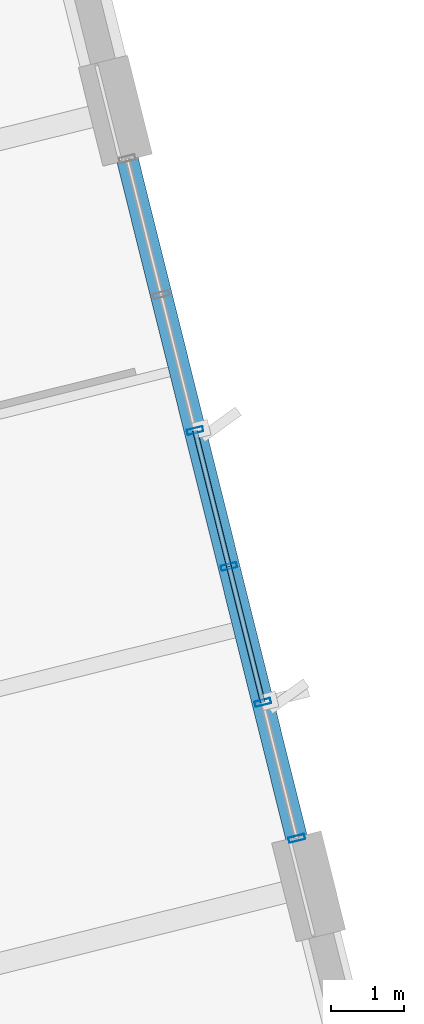
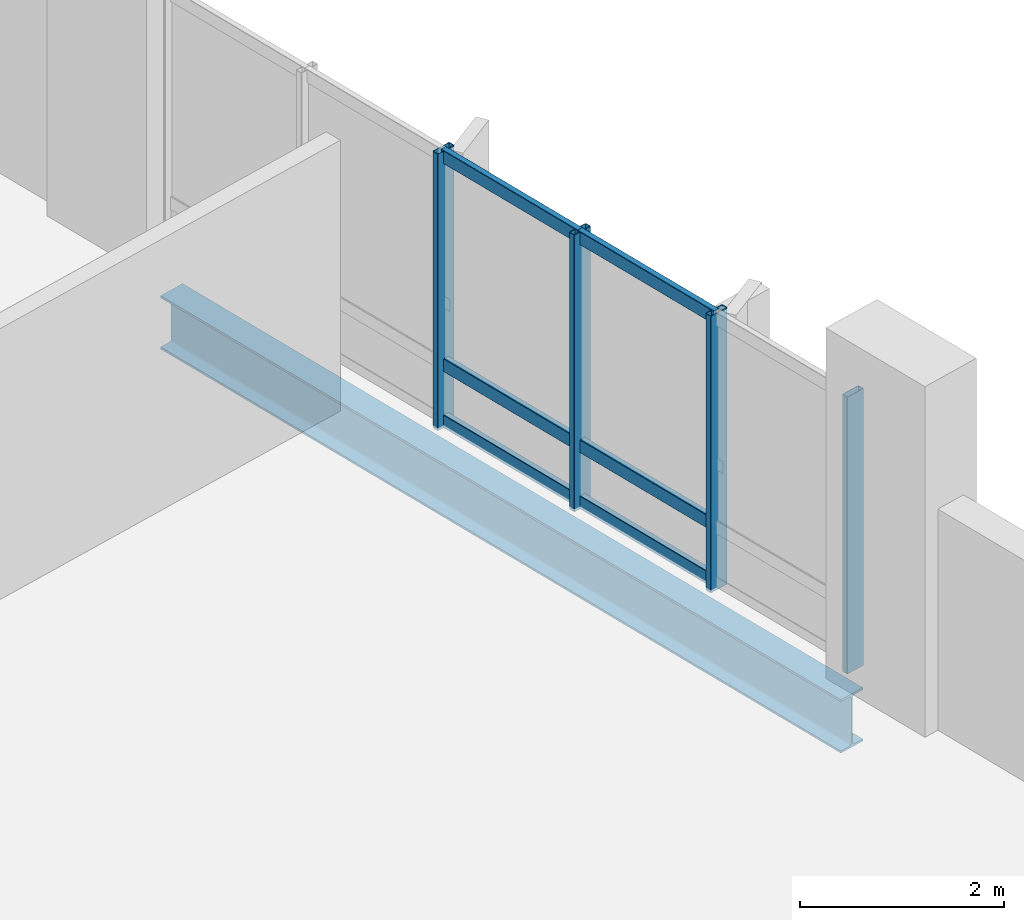
# One storey, part 40 of 75: 10 members, 1 beam, 1 element without a shape of its own.
"""IFC4 building model written with IfcOpenShell, lengths in metres."""

from ifc_helpers import new_model, si_unit, direction, frame, origin, origin_2d, place, context, subcontext, project, spatial, hollow_rectangle, i_section, extrude, material, layer, layer_set, material_profile, profile_set, type_object, element, aggregate, save


model = new_model("IFC4")

# Units and contexts
model_context = context("Model", 3, precision=1e-05, world=origin(), true_north=direction((0.0, 1.0)))
body_context = subcontext(model_context, "Body", "Model", "MODEL_VIEW")
ifc_project = project(units=[si_unit("LENGTHUNIT", "METRE"), si_unit("AREAUNIT", "SQUARE_METRE"), si_unit("VOLUMEUNIT", "CUBIC_METRE"), si_unit("PLANEANGLEUNIT", "RADIAN"), si_unit("MASSUNIT", "GRAM", prefix="KILO")], contexts=[model_context])

# Site, building, storey
site_placement = place(None, origin())
site = spatial("IfcSite", under=ifc_project, at=site_placement, CompositionType="ELEMENT")
building_placement = place(site_placement, origin())
building = spatial("IfcBuilding", under=site, at=building_placement, Name="Khorjan Park Terminus", CompositionType="ELEMENT")
storey_placement = place(building_placement, frame((0.0, 0.0, 16.2)))
storey = spatial("IfcBuildingStorey", under=building, at=storey_placement, Name="L03", CompositionType="ELEMENT", Elevation=16.2)

# Beam
ifc_material_1 = material(Name="Steel S355", Category="steel")
ifc_material_profile_1 = material_profile(ifc_material_1, i_section(OverallWidth=0.3, OverallDepth=0.64, WebThickness=0.0135, FlangeThickness=0.026, FilletRadius=0.027, at=origin_2d()), Name="HEA 650")
ifc_profile_set_1 = profile_set([ifc_material_profile_1], Name="Steel S355")
beam_type = type_object("IfcBeamType", Name="BM-HEA650", PredefinedType="BEAM", material=ifc_profile_set_1)
beam_placement = place(storey_placement, frame((219.2268, 61.3342, -0.67), z_axis=(-0.241923473335, 0.970295332901, 0.0), x_axis=(-0.970295332901, -0.241923473335, 0.0)))
element("IfcBeam", 1, at=beam_placement, inside=storey, type_object=beam_type, Name="Primary skew-grid floor girder SB-A65 (L03)", PredefinedType="BEAM", context=body_context, shape_type="SweptSolid", body=[
    extrude(i_section(OverallWidth=0.3, OverallDepth=0.64, WebThickness=0.0135, FlangeThickness=0.026, FilletRadius=0.027, at=origin_2d()), origin(), (0.0, 0.0, 1.0), 9.6101),
])

# Curtain wall, members
ifc_material_2 = material(Name="Anodized Bronze Aluminium", Category="aluminium")
ifc_layer = layer(ifc_material_2, 0.22)
ifc_layer_set = layer_set([ifc_layer], Name="Anodized Bronze Aluminium")
curtain_wall_type = type_object("IfcCurtainWallType", Name="CW-OPS-B", PredefinedType="NOTDEFINED", material=ifc_layer_set)
curtain_wall_placement = place(storey_placement, origin())
curtain_wall = element("IfcCurtainWall", 2, at=curtain_wall_placement, inside=storey, type_object=curtain_wall_type, Name="Unitized curtain wall CW-B (CW-V5-E-L03-B05)", PredefinedType="NOTDEFINED")
ifc_material_profile_2 = material_profile(ifc_material_2, hollow_rectangle(XDim=0.075, YDim=0.225, WallThickness=0.005, InnerFilletRadius=0.005, OuterFilletRadius=0.01, at=origin_2d()), Name="ALM 75x225x5")
ifc_profile_set_2 = profile_set([ifc_material_profile_2], Name="Anodized Bronze Aluminium")
member_type_1 = type_object("IfcMemberType", Name="ML-ALM-225", PredefinedType="MULLION", material=ifc_profile_set_2)
member_1_placement = place(storey_placement, frame((219.2305, 61.3198, -0.035), z_axis=(0.0, 0.0, 1.0), x_axis=(-0.241935125171, 0.970292427678, 0.0)))
member_1 = element("IfcMember", 3, at=member_1_placement, type_object=member_type_1, Name="Curtain-wall mullion ML-22 (CW-V5-E-L03-B05-0)", PredefinedType="MULLION", context=body_context, shape_type="SweptSolid", body=[
    extrude(hollow_rectangle(XDim=0.075, YDim=0.225, WallThickness=0.005, InnerFilletRadius=0.005, OuterFilletRadius=0.01, at=origin_2d()), origin(), (0.0, 0.0, 1.0), 3.315),
])
member_2_placement = place(storey_placement, frame((218.7641, 63.1905, -0.035), z_axis=(0.0, 0.0, 1.0), x_axis=(-0.241935125171, 0.970292427678, 0.0)))
member_2 = element("IfcMember", 4, at=member_2_placement, type_object=member_type_1, Name="Curtain-wall mullion ML-22 (CW-V5-E-L03-B05-1)", PredefinedType="MULLION", context=body_context, shape_type="SweptSolid", body=[
    extrude(hollow_rectangle(XDim=0.075, YDim=0.225, WallThickness=0.005, InnerFilletRadius=0.005, OuterFilletRadius=0.01, at=origin_2d()), origin(), (0.0, 0.0, 1.0), 3.315),
])
member_3_placement = place(storey_placement, frame((218.2976, 65.0612, -0.035), z_axis=(0.0, 0.0, 1.0), x_axis=(-0.241935125171, 0.970292427678, 0.0)))
member_3 = element("IfcMember", 5, at=member_3_placement, type_object=member_type_1, Name="Curtain-wall mullion ML-22 (CW-V5-E-L03-B05-2)", PredefinedType="MULLION", context=body_context, shape_type="SweptSolid", body=[
    extrude(hollow_rectangle(XDim=0.075, YDim=0.225, WallThickness=0.005, InnerFilletRadius=0.005, OuterFilletRadius=0.01, at=origin_2d()), origin(), (0.0, 0.0, 1.0), 3.315),
])
member_4_placement = place(storey_placement, frame((217.8312, 66.9318, -0.035), z_axis=(0.0, 0.0, 1.0), x_axis=(-0.241935125171, 0.970292427678, 0.0)))
member_4 = element("IfcMember", 6, at=member_4_placement, type_object=member_type_1, Name="Curtain-wall mullion ML-22 (CW-V5-E-L03-B05-3)", PredefinedType="MULLION", context=body_context, shape_type="SweptSolid", body=[
    extrude(hollow_rectangle(XDim=0.075, YDim=0.225, WallThickness=0.005, InnerFilletRadius=0.005, OuterFilletRadius=0.01, at=origin_2d()), origin(), (0.0, 0.0, 1.0), 3.315),
])
ifc_material_profile_3 = material_profile(ifc_material_2, hollow_rectangle(XDim=0.07, YDim=0.16, WallThickness=0.004, InnerFilletRadius=0.004, OuterFilletRadius=0.008, at=origin_2d()), Name="ALT 70x160x4")
ifc_profile_set_3 = profile_set([ifc_material_profile_3], Name="Anodized Bronze Aluminium")
member_type_2 = type_object("IfcMemberType", Name="TR-ALT-160", PredefinedType="USERDEFINED", material=ifc_profile_set_3)
member_5_placement = place(storey_placement, frame((218.7641, 63.1905, 0.04), z_axis=(-0.241961988875, 0.97028572902, 0.0), x_axis=(-0.97028572902, -0.241961988875, 0.0)))
member_5 = element("IfcMember", 7, at=member_5_placement, type_object=member_type_2, Name="Curtain-wall transom TR-16 (CW-V5-E-L03-B05-1-1)", ObjectType="TRANSOM", PredefinedType="USERDEFINED", context=body_context, shape_type="SweptSolid", body=[
    extrude(hollow_rectangle(XDim=0.07, YDim=0.16, WallThickness=0.004, InnerFilletRadius=0.004, OuterFilletRadius=0.008, at=origin_2d()), origin(), (0.0, 0.0, 1.0), 1.928),
])
member_6_placement = place(storey_placement, frame((218.7641, 63.1905, 0.714), z_axis=(-0.241961988875, 0.97028572902, 0.0), x_axis=(-0.97028572902, -0.241961988875, 0.0)))
member_6 = element("IfcMember", 8, at=member_6_placement, type_object=member_type_2, Name="Curtain-wall transom TR-16 (CW-V5-E-L03-B05-1-2)", ObjectType="TRANSOM", PredefinedType="USERDEFINED", context=body_context, shape_type="SweptSolid", body=[
    extrude(hollow_rectangle(XDim=0.07, YDim=0.16, WallThickness=0.004, InnerFilletRadius=0.004, OuterFilletRadius=0.008, at=origin_2d()), origin(), (0.0, 0.0, 1.0), 1.928),
])
member_7_placement = place(storey_placement, frame((218.7641, 63.1905, 3.205), z_axis=(-0.241961988875, 0.97028572902, 0.0), x_axis=(-0.97028572902, -0.241961988875, 0.0)))
member_7 = element("IfcMember", 9, at=member_7_placement, type_object=member_type_2, Name="Curtain-wall transom TR-16 (CW-V5-E-L03-B05-1-3)", ObjectType="TRANSOM", PredefinedType="USERDEFINED", context=body_context, shape_type="SweptSolid", body=[
    extrude(hollow_rectangle(XDim=0.07, YDim=0.16, WallThickness=0.004, InnerFilletRadius=0.004, OuterFilletRadius=0.008, at=origin_2d()), origin(), (0.0, 0.0, 1.0), 1.928),
])
member_8_placement = place(storey_placement, frame((218.2976, 65.0612, 0.04), z_axis=(-0.241925332546, 0.970294869342, 0.0), x_axis=(-0.970294869342, -0.241925332546, 0.0)))
member_8 = element("IfcMember", 10, at=member_8_placement, type_object=member_type_2, Name="Curtain-wall transom TR-16 (CW-V5-E-L03-B05-2-1)", ObjectType="TRANSOM", PredefinedType="USERDEFINED", context=body_context, shape_type="SweptSolid", body=[
    extrude(hollow_rectangle(XDim=0.07, YDim=0.16, WallThickness=0.004, InnerFilletRadius=0.004, OuterFilletRadius=0.008, at=origin_2d()), origin(), (0.0, 0.0, 1.0), 1.9279),
])
member_9_placement = place(storey_placement, frame((218.2976, 65.0612, 0.714), z_axis=(-0.241925332546, 0.970294869342, 0.0), x_axis=(-0.970294869342, -0.241925332546, 0.0)))
member_9 = element("IfcMember", 11, at=member_9_placement, type_object=member_type_2, Name="Curtain-wall transom TR-16 (CW-V5-E-L03-B05-2-2)", ObjectType="TRANSOM", PredefinedType="USERDEFINED", context=body_context, shape_type="SweptSolid", body=[
    extrude(hollow_rectangle(XDim=0.07, YDim=0.16, WallThickness=0.004, InnerFilletRadius=0.004, OuterFilletRadius=0.008, at=origin_2d()), origin(), (0.0, 0.0, 1.0), 1.9279),
])
member_10_placement = place(storey_placement, frame((218.2976, 65.0612, 3.205), z_axis=(-0.241925332546, 0.970294869342, 0.0), x_axis=(-0.970294869342, -0.241925332546, 0.0)))
member_10 = element("IfcMember", 12, at=member_10_placement, type_object=member_type_2, Name="Curtain-wall transom TR-16 (CW-V5-E-L03-B05-2-3)", ObjectType="TRANSOM", PredefinedType="USERDEFINED", context=body_context, shape_type="SweptSolid", body=[
    extrude(hollow_rectangle(XDim=0.07, YDim=0.16, WallThickness=0.004, InnerFilletRadius=0.004, OuterFilletRadius=0.008, at=origin_2d()), origin(), (0.0, 0.0, 1.0), 1.9279),
])
aggregate(curtain_wall, [member_1, member_2, member_3, member_4, member_5, member_6, member_7, member_8, member_9, member_10])

save(model, "model.ifc")
